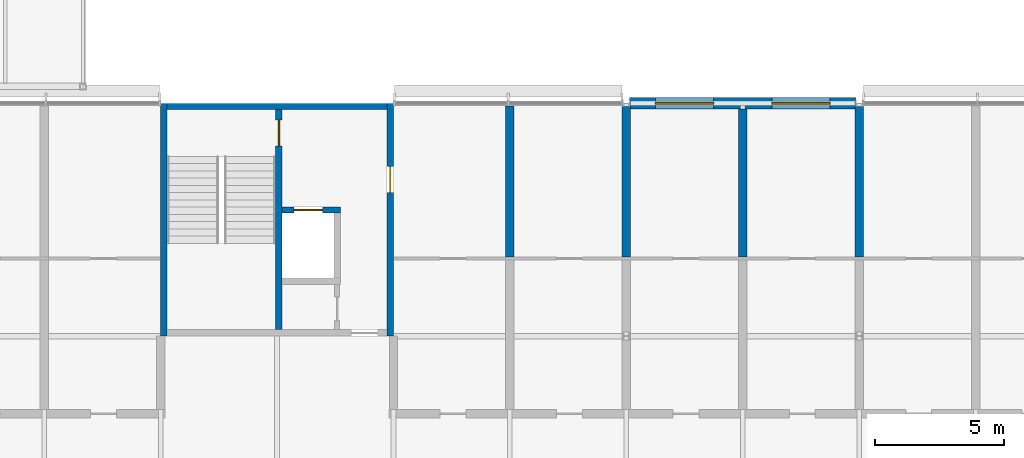
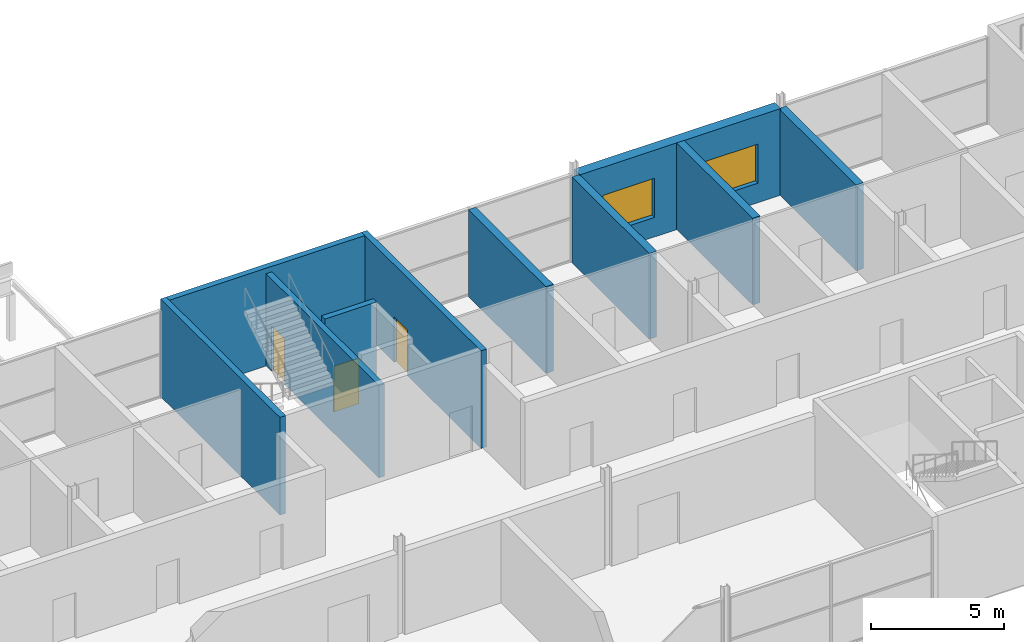
# One storey, part 80 of 97: 10 walls, 3 doors, 2 windows, 5 openings.
"""IFC4 building model written with IfcOpenShell, lengths in metres."""

from ifc_helpers import new_model, si_unit, direction, frame, frame_2d, origin, place, context, subcontext, project, spatial, rectangle, extrude, material, layer, layer_set, type_object, element, fill, save


model = new_model("IFC4")

# Units and contexts
model_context = context("Model", 3, precision=1e-05, world=origin(), true_north=direction((0.0, 1.0)))
body_context = subcontext(model_context, "Body", "Model", "MODEL_VIEW")
ifc_project = project(units=[si_unit("LENGTHUNIT", "METRE"), si_unit("AREAUNIT", "SQUARE_METRE"), si_unit("VOLUMEUNIT", "CUBIC_METRE"), si_unit("PLANEANGLEUNIT", "RADIAN"), si_unit("MASSUNIT", "GRAM", prefix="KILO")], contexts=[model_context])

# Site, building, storey
site_placement = place(None, origin())
site = spatial("IfcSite", under=ifc_project, at=site_placement, CompositionType="ELEMENT")
building_placement = place(site_placement, origin())
building = spatial("IfcBuilding", under=site, at=building_placement, Name="Corbel Yard City Hall", CompositionType="ELEMENT")
storey_placement = place(building_placement, frame((0.0, 0.0, 6.0)))
storey = spatial("IfcBuildingStorey", under=building, at=storey_placement, Name="L01", CompositionType="ELEMENT", Elevation=6.0)

# Wall
ifc_material_1 = material(Name="Concrete N50 (50 MPa)", Category="concrete")
ifc_layer_1 = layer(ifc_material_1, 0.25)
ifc_layer_set_1 = layer_set([ifc_layer_1], Name="Concrete N50 (50 MPa)")
wall_type_1 = type_object("IfcWallType", Name="Core cell wall 250", PredefinedType="SHEAR", material=ifc_layer_set_1)
wall_1_placement = place(storey_placement, frame((99.125, 108.0, 0.0), z_axis=(0.0, 0.0, 1.0), x_axis=(0.0, 1.0, 0.0)))
element("IfcWall", 1, at=wall_1_placement, inside=storey, type_object=wall_type_1, Name="Core PC-N2 west wall", PredefinedType="SHEAR", context=body_context, shape_type="SweptSolid", body=[
    extrude(rectangle(XDim=9.0, YDim=0.25, at=frame_2d((4.5, 0.0))), origin(), (0.0, 0.0, 1.0), 4.5),
])

# Wall, opening, door
wall_2_placement = place(storey_placement, frame((107.875, 108.0, 0.0), z_axis=(0.0, 0.0, 1.0), x_axis=(0.0, 1.0, 0.0)))
wall_2 = element("IfcWall", 2, at=wall_2_placement, inside=storey, type_object=wall_type_1, Name="Core PC-N2 east wall", PredefinedType="SHEAR", context=body_context, shape_type="SweptSolid", body=[
    extrude(rectangle(XDim=9.0, YDim=0.25, at=frame_2d((4.5, 0.0))), origin(), (0.0, 0.0, 1.0), 4.5),
])
opening_1_placement = place(wall_2_placement, frame((5.550048828125, 0.0, 0.0)))
opening_1 = element("IfcOpeningElement", 3, at=opening_1_placement, cuts=wall_2, Name="Opening L01-156", PredefinedType="OPENING", context=body_context, shape_type="SweptSolid", body=[
    extrude(rectangle(XDim=1.0, YDim=2.10009765625, at=frame_2d((0.5, 1.050048828125))), frame((0.0, 0.135009765625, 0.0), z_axis=(0.0, -1.0, 0.0), x_axis=(1.0, 0.0, 0.0)), (0.0, 0.0, 1.0), 0.27001953125),
])
ifc_material_2 = material(Name="Steel Grade G250", Category="steel")
door_type_1 = type_object("IfcDoorType", Name="FS1", OperationType="SINGLE_SWING_LEFT", PredefinedType="DOOR", material=ifc_material_2)
door_1_placement = place(opening_1_placement, frame((1.0, 0.0, 0.0), z_axis=(0.0, 0.0, 1.0), x_axis=(-1.0, 0.0, 0.0)))
door_1 = element("IfcDoor", 4, at=door_1_placement, inside=storey, type_object=door_type_1, Name="Door Lift Lobby", OperationType="SINGLE_SWING_RIGHT", OverallHeight=2.10009765625, OverallWidth=1.0, PredefinedType="DOOR", context=body_context, shape_type="SweptSolid", body=[
    extrude(rectangle(XDim=1.0, YDim=2.10009765625, at=frame_2d((0.5, 1.050048828125))), frame((0.0, 0.02490234375, 0.0), z_axis=(0.0, -1.0, 0.0), x_axis=(1.0, 0.0, 0.0)), (0.0, 0.0, 1.0), 0.050048828125),
])
fill(opening_1, door_1)

# Wall
wall_3_placement = place(storey_placement, frame((99.25, 116.875, 0.0), z_axis=(0.0, 0.0, 1.0), x_axis=(1.0, 0.0, 0.0)))
element("IfcWall", 5, at=wall_3_placement, inside=storey, type_object=wall_type_1, Name="Core PC-N2 north wall", PredefinedType="SHEAR", context=body_context, shape_type="SweptSolid", body=[
    extrude(rectangle(XDim=8.5, YDim=0.25, at=frame_2d((4.25, 0.0))), origin(), (0.0, 0.0, 1.0), 4.5),
])

# Wall, openings, windows
ifc_material_3 = material(Name="Sandstone cladding", Category="masonry")
ifc_layer_2 = layer(ifc_material_3, 0.06005859375)
ifc_material_4 = material(Name="Air cavity", Category="air")
ifc_layer_3 = layer(ifc_material_4, 0.0400390625)
ifc_material_5 = material(Name="Concrete N40 (40 MPa)", Category="concrete")
ifc_layer_4 = layer(ifc_material_5, 0.25)
ifc_material_6 = material(Name="Mineral wool", Category="insulation")
ifc_layer_5 = layer(ifc_material_6, 0.10009765625)
ifc_layer_set_2 = layer_set([ifc_layer_2, ifc_layer_3, ifc_layer_4, ifc_layer_5], Name="Concrete N40 (40 MPa)")
wall_type_2 = type_object("IfcWallType", Name="EW2", PredefinedType="SOLIDWALL", material=ifc_layer_set_2)
wall_4_placement = place(storey_placement, frame((117.1298828125, 117.0, 0.0), z_axis=(0.0, 0.0, 1.0), x_axis=(1.0, 0.0, 0.0)))
wall_4 = element("IfcWall", 6, at=wall_4_placement, inside=storey, type_object=wall_type_2, Name="Entrance pier wall", PredefinedType="SOLIDWALL", context=body_context, shape_type="SweptSolid", body=[
    extrude(rectangle(XDim=8.740234375, YDim=0.449951171875, at=frame_2d((4.3701171875, 0.0))), origin(), (0.0, 0.0, 1.0), 3.990966796875),
])
opening_2_placement = place(wall_4_placement, frame((0.9951171875, 0.0, 0.89990234375)))
opening_2 = element("IfcOpeningElement", 7, at=opening_2_placement, cuts=wall_4, Name="Opening WN15", PredefinedType="OPENING", context=body_context, shape_type="SweptSolid", body=[
    extrude(rectangle(XDim=2.25, YDim=1.800048828125, at=frame_2d((1.125, 0.89990234375))), frame((0.0, 0.23486328125, 0.0), z_axis=(0.0, -1.0, 0.0), x_axis=(1.0, 0.0, 0.0)), (0.0, 0.0, 1.0), 0.469970703125),
])
opening_3_placement = place(wall_4_placement, frame((5.4951171875, 0.0, 0.89990234375)))
opening_3 = element("IfcOpeningElement", 8, at=opening_3_placement, cuts=wall_4, Name="Opening WN15", PredefinedType="OPENING", context=body_context, shape_type="SweptSolid", body=[
    extrude(rectangle(XDim=2.25, YDim=1.800048828125, at=frame_2d((1.125, 0.89990234375))), frame((0.0, 0.23486328125, 0.0), z_axis=(0.0, -1.0, 0.0), x_axis=(1.0, 0.0, 0.0)), (0.0, 0.0, 1.0), 0.469970703125),
])
ifc_material_7 = material(Name="Aluminium frame, double glazed low-e glass", Category="aluminium")
window_type = type_object("IfcWindowType", Name="WN15", PartitioningType="SINGLE_PANEL", PredefinedType="WINDOW", material=ifc_material_7)
window_1_placement = place(opening_2_placement, origin())
window_1 = element("IfcWindow", 9, at=window_1_placement, inside=storey, type_object=window_type, Name="Window WN15 L01", OverallHeight=1.800048828125, OverallWidth=2.25, PartitioningType="SINGLE_PANEL", PredefinedType="WINDOW", context=body_context, shape_type="SweptSolid", body=[
    extrude(rectangle(XDim=2.25, YDim=1.800048828125, at=frame_2d((1.125, 0.89990234375))), frame((0.0, 0.030029296875, 0.0), z_axis=(0.0, -1.0, 0.0), x_axis=(1.0, 0.0, 0.0)), (0.0, 0.0, 1.0), 0.06005859375),
])
fill(opening_2, window_1)
window_2_placement = place(opening_3_placement, origin())
window_2 = element("IfcWindow", 10, at=window_2_placement, inside=storey, type_object=window_type, Name="Window WN15 L01", OverallHeight=1.800048828125, OverallWidth=2.25, PartitioningType="SINGLE_PANEL", PredefinedType="WINDOW", context=body_context, shape_type="SweptSolid", body=[
    extrude(rectangle(XDim=2.25, YDim=1.800048828125, at=frame_2d((1.125, 0.89990234375))), frame((0.0, 0.030029296875, 0.0), z_axis=(0.0, -1.0, 0.0), x_axis=(1.0, 0.0, 0.0)), (0.0, 0.0, 1.0), 0.06005859375),
])
fill(opening_3, window_2)

# Wall, opening, door
ifc_layer_6 = layer(ifc_material_5, 0.25)
ifc_layer_set_3 = layer_set([ifc_layer_6], Name="Concrete N40 (40 MPa)")
wall_type_3 = type_object("IfcWallType", Name="IW2", PredefinedType="SOLIDWALL", material=ifc_layer_set_3)
wall_5_placement = place(storey_placement, frame((103.574951171875, 116.75, 0.0), z_axis=(0.0, 0.0, 1.0), x_axis=(0.0, -1.0, 0.0)))
wall_5 = element("IfcWall", 11, at=wall_5_placement, inside=storey, type_object=wall_type_3, Name="Stair enclosure wall", PredefinedType="SOLIDWALL", context=body_context, shape_type="SweptSolid", body=[
    extrude(rectangle(XDim=8.5, YDim=0.25, at=frame_2d((4.25, 0.0))), origin(), (0.0, 0.0, 1.0), 4.25),
])
opening_4_placement = place(wall_5_placement, frame((0.39990234375, 0.0, 0.0)))
opening_4 = element("IfcOpeningElement", 12, at=opening_4_placement, cuts=wall_5, Name="Opening L01-143", PredefinedType="OPENING", context=body_context, shape_type="SweptSolid", body=[
    extrude(rectangle(XDim=1.0, YDim=2.10009765625, at=frame_2d((0.5, 1.050048828125))), frame((0.0, 0.135009765625, 0.0), z_axis=(0.0, -1.0, 0.0), x_axis=(1.0, 0.0, 0.0)), (0.0, 0.0, 1.0), 0.27001953125),
])
door_2_placement = place(opening_4_placement, frame((1.0, 0.0, 0.0), z_axis=(0.0, 0.0, 1.0), x_axis=(-1.0, 0.0, 0.0)))
door_2 = element("IfcDoor", 13, at=door_2_placement, inside=storey, type_object=door_type_1, Name="Door Exit Stair 17", OperationType="SINGLE_SWING_RIGHT", OverallHeight=2.10009765625, OverallWidth=1.0, PredefinedType="DOOR", context=body_context, shape_type="SweptSolid", body=[
    extrude(rectangle(XDim=1.0, YDim=2.10009765625, at=frame_2d((0.5, 1.050048828125))), frame((0.0, 0.02490234375, 0.0), z_axis=(0.0, -1.0, 0.0), x_axis=(1.0, 0.0, 0.0)), (0.0, 0.0, 1.0), 0.050048828125),
])
fill(opening_4, door_2)

wall_6_placement = place(storey_placement, frame((103.699951171875, 112.875, 0.0), z_axis=(0.0, 0.0, 1.0), x_axis=(1.0, 0.0, 0.0)))
wall_6 = element("IfcWall", 14, at=wall_6_placement, inside=storey, type_object=wall_type_3, Name="Lift LP17 shaft wall", PredefinedType="SOLIDWALL", context=body_context, shape_type="SweptSolid", body=[
    extrude(rectangle(XDim=2.25, YDim=0.25, at=frame_2d((1.125, 0.0))), origin(), (0.0, 0.0, 1.0), 4.5),
])
opening_5_placement = place(wall_6_placement, frame((0.449951171875, 0.0, 0.0)))
opening_5 = element("IfcOpeningElement", 15, at=opening_5_placement, cuts=wall_6, Name="Opening L01-136", PredefinedType="OPENING", context=body_context, shape_type="SweptSolid", body=[
    extrude(rectangle(XDim=1.10009765625, YDim=2.10009765625, at=frame_2d((0.550048828125, 1.050048828125))), frame((0.0, 0.135009765625, 0.0), z_axis=(0.0, -1.0, 0.0), x_axis=(1.0, 0.0, 0.0)), (0.0, 0.0, 1.0), 0.27001953125),
])
ifc_material_8 = material(Name="Stainless steel Grade 316", Category="steel")
door_type_2 = type_object("IfcDoorType", Name="LD1", OperationType="DOUBLE_DOOR_SLIDING", PredefinedType="DOOR", material=ifc_material_8)
door_3_placement = place(opening_5_placement, origin())
door_3 = element("IfcDoor", 16, at=door_3_placement, inside=storey, type_object=door_type_2, Name="Lift LP17 landing door", OperationType="DOUBLE_DOOR_SLIDING", OverallHeight=2.10009765625, OverallWidth=1.10009765625, PredefinedType="DOOR", context=body_context, shape_type="SweptSolid", body=[
    extrude(rectangle(XDim=1.10009765625, YDim=2.10009765625, at=frame_2d((0.550048828125, 1.050048828125))), frame((0.0, 0.02490234375, 0.0), z_axis=(0.0, -1.0, 0.0), x_axis=(1.0, 0.0, 0.0)), (0.0, 0.0, 1.0), 0.050048828125),
])
fill(opening_5, door_3)

# Walls
ifc_material_9 = material(Name="Gypsum plasterboard", Category="gypsum")
ifc_layer_7 = layer(ifc_material_9, 0.031982421875)
ifc_material_10 = material(Name="Steel Grade G550 (550 MPa yield)", Category="steel")
ifc_layer_8 = layer(ifc_material_10, 0.260986328125)
ifc_layer_9 = layer(ifc_material_9, 0.031982421875)
ifc_layer_set_4 = layer_set([ifc_layer_7, ifc_layer_8, ifc_layer_9], Name="Steel Grade G550 (550 MPa yield)")
wall_type_4 = type_object("IfcWallType", Name="PT20", PredefinedType="PARTITIONING", material=ifc_layer_set_4)
wall_7_placement = place(storey_placement, frame((112.5, 111.050048828125, 0.0), z_axis=(0.0, 0.0, 1.0), x_axis=(0.0, 1.0, 0.0)))
element("IfcWall", 17, at=wall_7_placement, inside=storey, type_object=wall_type_4, Name="Acoustic partition", PredefinedType="PARTITIONING", context=body_context, shape_type="SweptSolid", body=[
    extrude(rectangle(XDim=5.849853515625, YDim=0.324951171875, at=frame_2d((2.9248046875, 0.0))), origin(), (0.0, 0.0, 1.0), 3.993896484375),
])
wall_8_placement = place(storey_placement, frame((117.0, 111.050048828125, 0.0), z_axis=(0.0, 0.0, 1.0), x_axis=(0.0, 1.0, 0.0)))
element("IfcWall", 18, at=wall_8_placement, inside=storey, type_object=wall_type_4, Name="Acoustic partition", PredefinedType="PARTITIONING", context=body_context, shape_type="SweptSolid", body=[
    extrude(rectangle(XDim=5.820068359375, YDim=0.324951171875, at=frame_2d((2.91015625, 0.0))), origin(), (0.0, 0.0, 1.0), 3.947021484375),
])
wall_9_placement = place(storey_placement, frame((121.5, 111.050048828125, 0.0), z_axis=(0.0, 0.0, 1.0), x_axis=(0.0, 1.0, 0.0)))
element("IfcWall", 19, at=wall_9_placement, inside=storey, type_object=wall_type_4, Name="Acoustic partition", PredefinedType="PARTITIONING", context=body_context, shape_type="SweptSolid", body=[
    extrude(rectangle(XDim=5.724853515625, YDim=0.324951171875, at=frame_2d((2.8623046875, 0.0))), origin(), (0.0, 0.0, 1.0), 3.993896484375),
])
wall_10_placement = place(storey_placement, frame((126.0, 111.050048828125, 0.0), z_axis=(0.0, 0.0, 1.0), x_axis=(0.0, 1.0, 0.0)))
element("IfcWall", 20, at=wall_10_placement, inside=storey, type_object=wall_type_4, Name="Acoustic partition", PredefinedType="PARTITIONING", context=body_context, shape_type="SweptSolid", body=[
    extrude(rectangle(XDim=5.820068359375, YDim=0.324951171875, at=frame_2d((2.91015625, 0.0))), origin(), (0.0, 0.0, 1.0), 3.947021484375),
])

save(model, "model.ifc")
